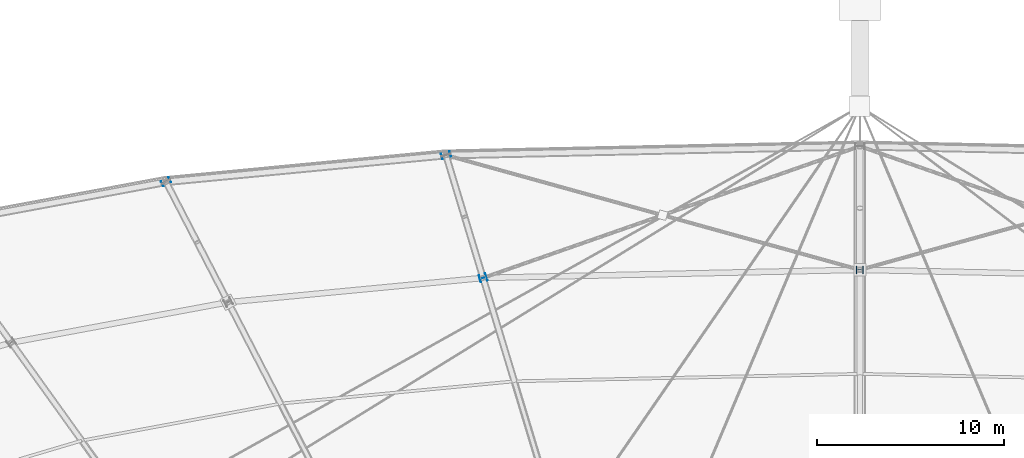
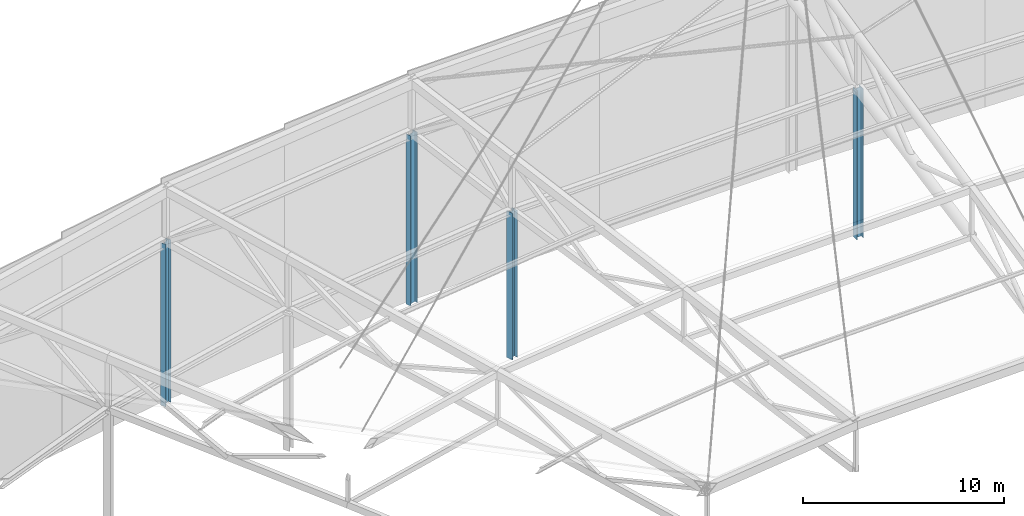
# One storey, part 11 of 143: 4 columns.
"""IFC4 building model written with IfcOpenShell, lengths in metres."""

from ifc_helpers import new_model, si_unit, direction, frame, origin, origin_2d, place, context, subcontext, project, spatial, i_section, extrude, material, material_profile, profile_set, type_object, element, save


model = new_model("IFC4")

# Units and contexts
model_context = context("Model", 3, precision=1e-05, world=origin(), true_north=direction((0.0, 1.0)))
body_context = subcontext(model_context, "Body", "Model", "MODEL_VIEW")
ifc_project = project(units=[si_unit("LENGTHUNIT", "METRE"), si_unit("AREAUNIT", "SQUARE_METRE"), si_unit("VOLUMEUNIT", "CUBIC_METRE"), si_unit("PLANEANGLEUNIT", "RADIAN"), si_unit("MASSUNIT", "GRAM", prefix="KILO")], contexts=[model_context])

# Site, building, storey
site_placement = place(None, origin())
site = spatial("IfcSite", under=ifc_project, at=site_placement, CompositionType="ELEMENT")
building_placement = place(site_placement, origin())
building = spatial("IfcBuilding", under=site, at=building_placement, Name="Mphavela Belvedere Stadium", CompositionType="ELEMENT")
storey_placement = place(building_placement, frame((0.0, 0.0, 28.800048828125)))
storey = spatial("IfcBuildingStorey", under=building, at=storey_placement, Name="RF", CompositionType="ELEMENT", Elevation=28.800048828125)

# Columns
ifc_material_1 = material(Name="Steel S355", Category="steel")
ifc_material_profile_1 = material_profile(ifc_material_1, i_section(OverallWidth=0.39501953125, OverallDepth=0.3798828125, WebThickness=0.0166015625, FlangeThickness=0.02587890625, at=origin_2d()), Name="HD 400x237")
ifc_profile_set_1 = profile_set([ifc_material_profile_1], Name="Steel S355")
column_type_1 = type_object("IfcColumnType", Name="COL-STEEL-HD400", PredefinedType="COLUMN", material=ifc_profile_set_1)
column_1_placement = place(storey_placement, frame((115.0, 154.0673828125, 0.0), z_axis=(0.0, 0.0, 1.0), x_axis=(0.0, 1.0, 0.0)))
element("IfcColumn", 1, at=column_1_placement, inside=storey, type_object=column_type_1, Name="Roof truss inner support column RF R3-13", PredefinedType="COLUMN", context=body_context, shape_type="SweptSolid", body=[
    extrude(i_section(OverallWidth=0.39501953125, OverallDepth=0.3798828125, WebThickness=0.0166015625, FlangeThickness=0.02587890625, at=origin_2d()), origin(), (0.0, 0.0, 1.0), 9.071044921875),
])
column_2_placement = place(storey_placement, frame((94.8671875, 153.634033203125, 0.0), z_axis=(0.0, 0.0, 1.0), x_axis=(-0.289198876314, 0.957269037387, 0.0)))
element("IfcColumn", 2, at=column_2_placement, inside=storey, type_object=column_type_1, Name="Roof truss inner support column RF R3-14", PredefinedType="COLUMN", context=body_context, shape_type="SweptSolid", body=[
    extrude(i_section(OverallWidth=0.39501953125, OverallDepth=0.3798828125, WebThickness=0.0166015625, FlangeThickness=0.02587890625, at=origin_2d()), origin(), (0.0, 0.0, 1.0), 8.922119140625),
])
ifc_material_2 = material(Name="Steel S355", Category="steel")
ifc_material_profile_2 = material_profile(ifc_material_2, i_section(OverallWidth=0.300048828125, OverallDepth=0.5, WebThickness=0.014404296875, FlangeThickness=0.028076171875, at=origin_2d()), Name="HEB 500")
ifc_profile_set_2 = profile_set([ifc_material_profile_2], Name="Steel S355")
column_type_2 = type_object("IfcColumnType", Name="COL-STEEL-HEB500", PredefinedType="COLUMN", material=ifc_profile_set_2)
column_3_placement = place(storey_placement, frame((92.885498046875, 160.19384765625, 0.0), z_axis=(0.0, 0.0, 1.0), x_axis=(-0.289198876314, 0.957269037387, 0.0)))
element("IfcColumn", 3, at=column_3_placement, inside=storey, type_object=column_type_2, Name="Roof truss outer tie-down column RF R4-14", PredefinedType="COLUMN", context=body_context, shape_type="SweptSolid", body=[
    extrude(i_section(OverallWidth=0.300048828125, OverallDepth=0.5, WebThickness=0.014404296875, FlangeThickness=0.028076171875, at=origin_2d()), origin(), (0.0, 0.0, 1.0), 10.347412109375),
])
column_4_placement = place(storey_placement, frame((77.92724609375, 158.767333984375, 0.0), z_axis=(0.0, 0.0, 1.0), x_axis=(-0.458959712465, 0.888457079624, 0.0)))
element("IfcColumn", 4, at=column_4_placement, inside=storey, type_object=column_type_2, Name="Roof truss outer tie-down column RF R4-15", PredefinedType="COLUMN", context=body_context, shape_type="SweptSolid", body=[
    extrude(i_section(OverallWidth=0.300048828125, OverallDepth=0.5, WebThickness=0.014404296875, FlangeThickness=0.028076171875, at=origin_2d()), origin(), (0.0, 0.0, 1.0), 9.867919921875),
])

save(model, "model.ifc")
